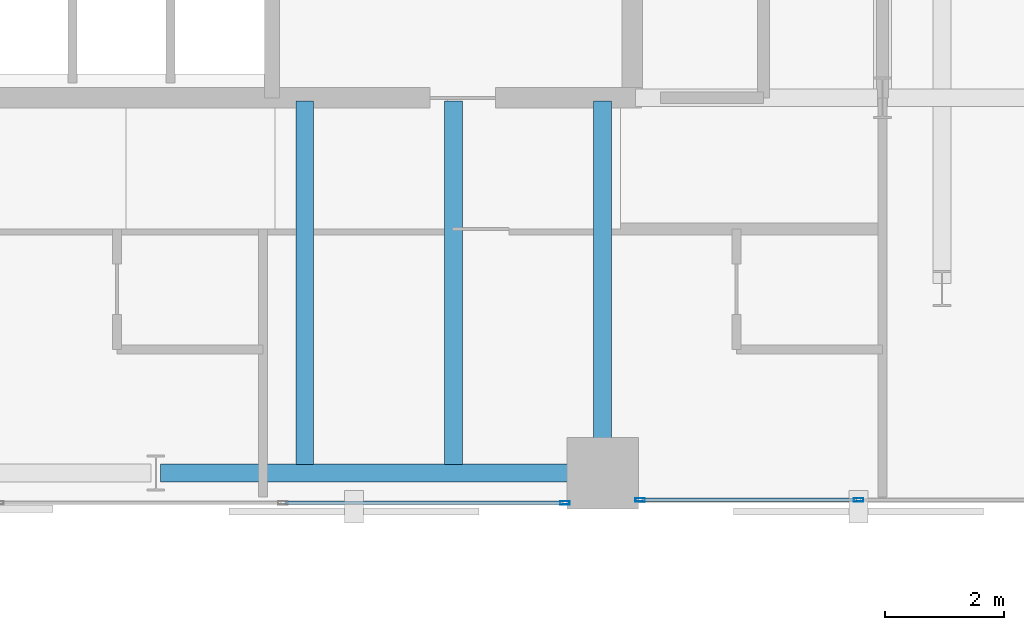
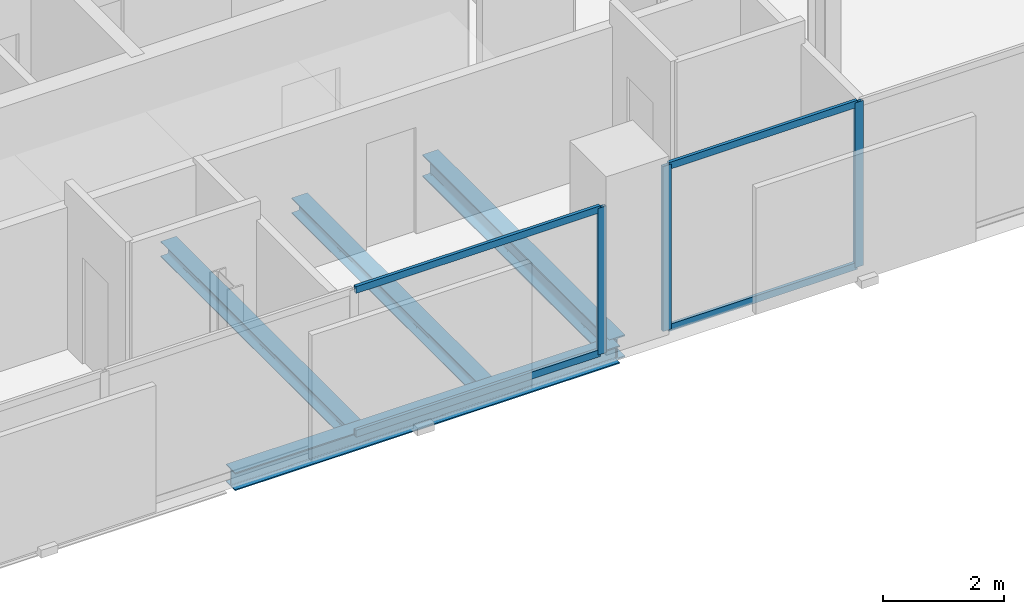
# One storey, part 14 of 32: 7 members, 4 beams, 2 elements without a shape of their own.
"""IFC4 building model written with IfcOpenShell, lengths in metres."""

from ifc_helpers import new_model, si_unit, direction, frame, origin, origin_2d, place, context, subcontext, project, spatial, hollow_rectangle, i_section, extrude, material, layer, layer_set, material_profile, profile_set, type_object, element, aggregate, save


model = new_model("IFC4")

# Units and contexts
model_context = context("Model", 3, precision=1e-05, world=origin(), true_north=direction((0.0, 1.0)))
body_context = subcontext(model_context, "Body", "Model", "MODEL_VIEW")
ifc_project = project(units=[si_unit("LENGTHUNIT", "METRE"), si_unit("AREAUNIT", "SQUARE_METRE"), si_unit("VOLUMEUNIT", "CUBIC_METRE"), si_unit("PLANEANGLEUNIT", "RADIAN"), si_unit("MASSUNIT", "GRAM", prefix="KILO")], contexts=[model_context])

# Site, building, storey
site_placement = place(None, origin())
site = spatial("IfcSite", under=ifc_project, at=site_placement, CompositionType="ELEMENT")
building_placement = place(site_placement, origin())
building = spatial("IfcBuilding", under=site, at=building_placement, Name="Catumbela Crestline Tower", CompositionType="ELEMENT")
storey_placement = place(building_placement, frame((0.0, 0.0, 122.4)))
storey = spatial("IfcBuildingStorey", under=building, at=storey_placement, Name="L31", CompositionType="ELEMENT", Elevation=122.4)

# Beams
ifc_material_1 = material(Name="Structural steel S355J2", Category="steel")
ifc_material_profile_1 = material_profile(ifc_material_1, i_section(OverallWidth=0.3, OverallDepth=0.45, WebThickness=0.014, FlangeThickness=0.026, FilletRadius=0.027, at=origin_2d()), Name="HEB 450")
ifc_profile_set_1 = profile_set([ifc_material_profile_1], Name="Structural steel S355J2")
beam_type_1 = type_object("IfcBeamType", Name="BG-HEB450", PredefinedType="BEAM", material=ifc_profile_set_1)
beam_1_placement = place(storey_placement, frame((39.5, 24.58, -0.485), z_axis=(0.0, 1.0, 0.0), x_axis=(-1.0, 0.0, 0.0)))
element("IfcBeam", 1, at=beam_1_placement, inside=storey, type_object=beam_type_1, Name="L31 Beam BM-L31-SNS31", PredefinedType="BEAM", context=body_context, shape_type="SweptSolid", body=[
    extrude(i_section(OverallWidth=0.3, OverallDepth=0.45, WebThickness=0.014, FlangeThickness=0.026, FilletRadius=0.027, at=origin_2d()), origin(), (0.0, 0.0, 1.0), 6.17),
])
ifc_material_profile_2 = material_profile(ifc_material_1, i_section(OverallWidth=0.3, OverallDepth=0.31, WebThickness=0.009, FlangeThickness=0.0155, FilletRadius=0.027, at=origin_2d()), Name="HEA 320")
ifc_profile_set_2 = profile_set([ifc_material_profile_2], Name="Structural steel S355J2")
beam_type_2 = type_object("IfcBeamType", Name="BJ-HEA320", PredefinedType="JOIST", material=ifc_profile_set_2)
for number, where, z_axis, x_axis, name in (
    (2, (34.5, 24.647, -0.415), (0.0, 1.0, 0.0), (-1.0, 0.0, 0.0), "L31 Joist JS-L31-SP41"),
    (3, (37.0, 24.647, -0.415), (0.0, 1.0, 0.0), (-1.0, 0.0, 0.0), "L31 Joist JS-L31-SP42"),
):
    element("IfcBeam", number, at=place(storey_placement, frame(where, z_axis=z_axis, x_axis=x_axis)), inside=storey, type_object=beam_type_2, Name=name, PredefinedType="JOIST", context=body_context, shape_type="SweptSolid", body=[
        extrude(i_section(OverallWidth=0.3, OverallDepth=0.31, WebThickness=0.009, FlangeThickness=0.0155, FilletRadius=0.027, at=origin_2d()), origin(), (0.0, 0.0, 1.0), 6.103),
    ])

# Curtain wall, member
ifc_material_2 = material(Name="Aluminium alloy AW-6060-T66", Category="aluminium")
ifc_layer = layer(ifc_material_2, 0.18, Name="Aluminium alloy AW-6060-T66")
ifc_layer_set = layer_set([ifc_layer], Name="Aluminium alloy AW-6060-T66")
curtain_wall_type = type_object("IfcCurtainWallType", Name="CWU-Z2", PredefinedType="USERDEFINED", material=ifc_layer_set)
curtain_wall_1_placement = place(storey_placement, origin())
curtain_wall_1 = element("IfcCurtainWall", 4, at=curtain_wall_1_placement, inside=storey, type_object=curtain_wall_type, Name="L31 Unitised Curtain Wall CW-L31-E3S1", ObjectType="UNITISED", PredefinedType="USERDEFINED")
ifc_material_profile_3 = material_profile(ifc_material_2, hollow_rectangle(XDim=0.06, YDim=0.16, WallThickness=0.004, at=origin_2d()), Name="ALU 160x60x4")
ifc_profile_set_3 = profile_set([ifc_material_profile_3], Name="Aluminium alloy AW-6060-T66")
member_type_1 = type_object("IfcMemberType", Name="MUL-160X60", PredefinedType="MULLION", material=ifc_profile_set_3)
member_1_placement = place(storey_placement, frame((38.8675, 24.0, 0.0), z_axis=(0.0, 0.0, 1.0), x_axis=(0.0, 1.0, 0.0)))
member_1 = element("IfcMember", 5, at=member_1_placement, type_object=member_type_1, Name="CWU-Z2 mullion 4", PredefinedType="MULLION", context=body_context, shape_type="SweptSolid", body=[
    extrude(hollow_rectangle(XDim=0.06, YDim=0.16, WallThickness=0.004, at=origin_2d()), origin(), (0.0, 0.0, 1.0), 2.96),
])

# Curtain wall, members
curtain_wall_2_placement = place(storey_placement, origin())
curtain_wall_2 = element("IfcCurtainWall", 6, at=curtain_wall_2_placement, inside=storey, type_object=curtain_wall_type, Name="L31 Unitised Curtain Wall CW-L31-E3S2", ObjectType="UNITISED", PredefinedType="USERDEFINED")
member_2_placement = place(storey_placement, frame((40.1325, 24.05, 0.0), z_axis=(0.0, 0.0, 1.0), x_axis=(0.0, 1.0, 0.0)))
member_2 = element("IfcMember", 7, at=member_2_placement, type_object=member_type_1, Name="CWU-Z2 mullion 1", PredefinedType="MULLION", context=body_context, shape_type="SweptSolid", body=[
    extrude(hollow_rectangle(XDim=0.06, YDim=0.16, WallThickness=0.004, at=origin_2d()), origin(), (0.0, 0.0, 1.0), 3.33),
])
member_3_placement = place(storey_placement, frame((43.8, 24.05, 0.0), z_axis=(0.0, 0.0, 1.0), x_axis=(0.0, 1.0, 0.0)))
member_3 = element("IfcMember", 8, at=member_3_placement, type_object=member_type_1, Name="CWU-Z2 mullion 2", PredefinedType="MULLION", context=body_context, shape_type="SweptSolid", body=[
    extrude(hollow_rectangle(XDim=0.06, YDim=0.16, WallThickness=0.004, at=origin_2d()), origin(), (0.0, 0.0, 1.0), 3.33),
])

# Beam
ifc_material_profile_4 = material_profile(ifc_material_1, i_section(OverallWidth=0.3, OverallDepth=0.36, WebThickness=0.0125, FlangeThickness=0.0225, FilletRadius=0.027, at=origin_2d()), Name="HEB 360")
ifc_profile_set_4 = profile_set([ifc_material_profile_4], Name="Structural steel S355J2")
beam_type_3 = type_object("IfcBeamType", Name="BS-HEB360", PredefinedType="SPANDREL", material=ifc_profile_set_4)
beam_2_placement = place(storey_placement, frame((32.08, 24.5, -0.44), z_axis=(1.0, 0.0, 0.0), x_axis=(0.0, 1.0, 0.0)))
element("IfcBeam", 9, at=beam_2_placement, inside=storey, type_object=beam_type_3, Name="L31 Spandrel SP-L31-S06", PredefinedType="SPANDREL", context=body_context, shape_type="SweptSolid", body=[
    extrude(i_section(OverallWidth=0.3, OverallDepth=0.36, WebThickness=0.0125, FlangeThickness=0.0225, FilletRadius=0.027, at=origin_2d()), origin(), (0.0, 0.0, 1.0), 7.34),
])

# Member
ifc_material_profile_5 = material_profile(ifc_material_2, hollow_rectangle(XDim=0.06, YDim=0.14, WallThickness=0.004, at=origin_2d()), Name="ALU 140x60x4")
ifc_profile_set_5 = profile_set([ifc_material_profile_5], Name="Aluminium alloy AW-6060-T66")
member_type_2 = type_object("IfcMemberType", Name="TRN-140X60", PredefinedType="USERDEFINED", material=ifc_profile_set_5)
member_4_placement = place(storey_placement, frame((34.1658, 24.0, 0.03), z_axis=(1.0, 0.0, 0.0), x_axis=(0.0, 1.0, 0.0)))
member_4 = element("IfcMember", 10, at=member_4_placement, type_object=member_type_2, Name="CWU-Z2 transom 3.1", ObjectType="TRANSOM", PredefinedType="USERDEFINED", context=body_context, shape_type="SweptSolid", body=[
    extrude(hollow_rectangle(XDim=0.06, YDim=0.14, WallThickness=0.004, at=origin_2d()), origin(), (0.0, 0.0, 1.0), 4.6692),
])

member_5_placement = place(storey_placement, frame((34.1658, 24.0, 2.93), z_axis=(1.0, 0.0, 0.0), x_axis=(0.0, 1.0, 0.0)))
member_5 = element("IfcMember", 11, at=member_5_placement, type_object=member_type_2, Name="CWU-Z2 transom 3.2", ObjectType="TRANSOM", PredefinedType="USERDEFINED", context=body_context, shape_type="SweptSolid", body=[
    extrude(hollow_rectangle(XDim=0.06, YDim=0.14, WallThickness=0.004, at=origin_2d()), origin(), (0.0, 0.0, 1.0), 4.6692),
])

aggregate(curtain_wall_1, [member_1, member_4, member_5])

member_6_placement = place(storey_placement, frame((40.165, 24.05, 0.03), z_axis=(1.0, 0.0, 0.0), x_axis=(0.0, 1.0, 0.0)))
member_6 = element("IfcMember", 12, at=member_6_placement, type_object=member_type_2, Name="CWU-Z2 transom 1.1", ObjectType="TRANSOM", PredefinedType="USERDEFINED", context=body_context, shape_type="SweptSolid", body=[
    extrude(hollow_rectangle(XDim=0.06, YDim=0.14, WallThickness=0.004, at=origin_2d()), origin(), (0.0, 0.0, 1.0), 3.6025),
])

member_7_placement = place(storey_placement, frame((40.165, 24.05, 3.3), z_axis=(1.0, 0.0, 0.0), x_axis=(0.0, 1.0, 0.0)))
member_7 = element("IfcMember", 13, at=member_7_placement, type_object=member_type_2, Name="CWU-Z2 transom 1.2", ObjectType="TRANSOM", PredefinedType="USERDEFINED", context=body_context, shape_type="SweptSolid", body=[
    extrude(hollow_rectangle(XDim=0.06, YDim=0.14, WallThickness=0.004, at=origin_2d()), origin(), (0.0, 0.0, 1.0), 3.6025),
])

aggregate(curtain_wall_2, [member_2, member_3, member_6, member_7])

save(model, "model.ifc")
